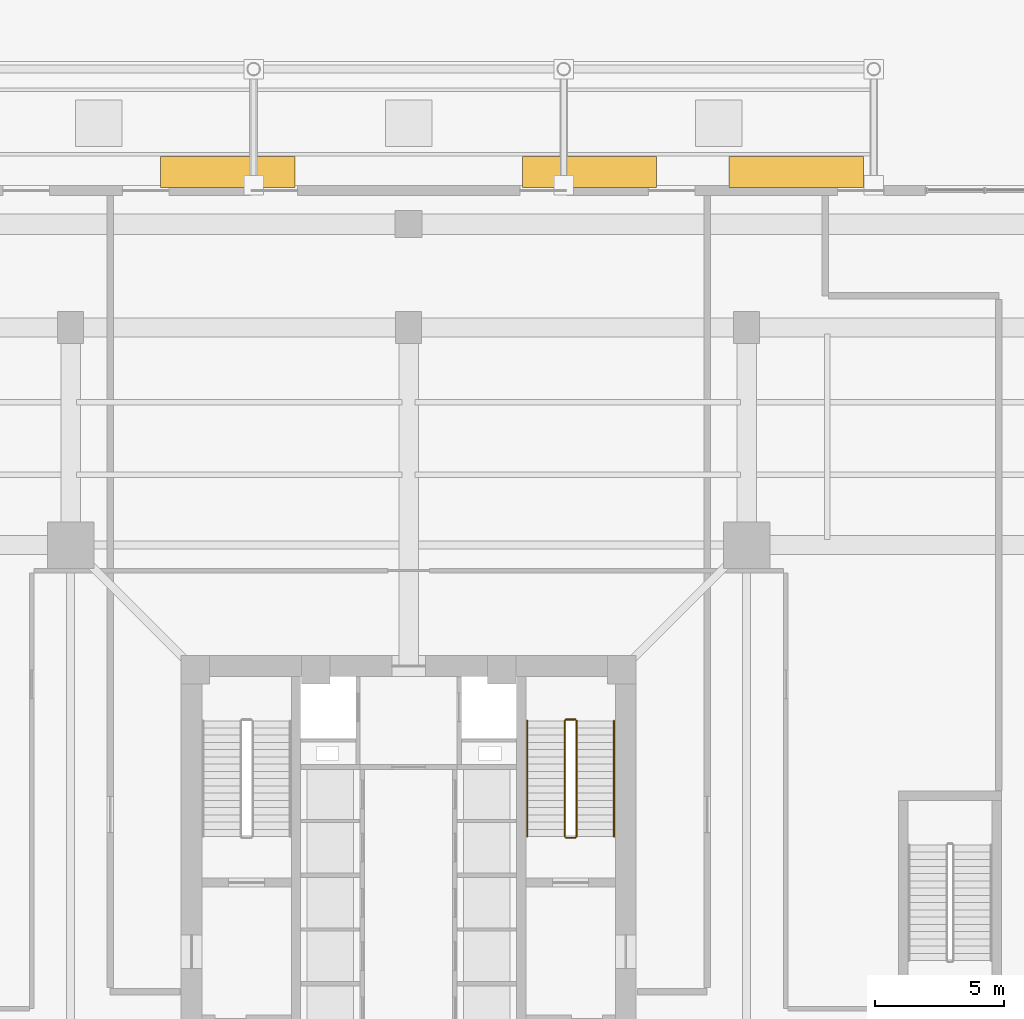
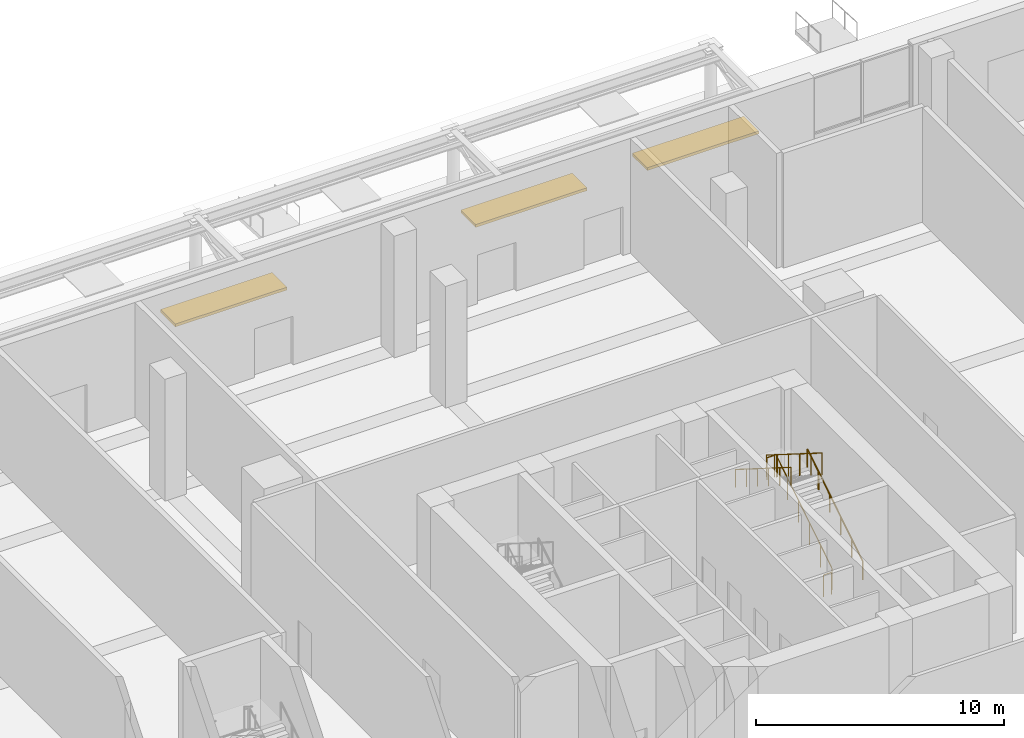
# One storey, part 21 of 25: 6 railings, 3 shading devices.
"""IFC4 building model written with IfcOpenShell, lengths in metres."""

from ifc_helpers import new_model, si_unit, direction, frame, origin, origin_2d, place, context, subcontext, project, spatial, rectangle, circle, extrude, source, transform, mapped, material, layer, layer_set, type_object, element, save


model = new_model("IFC4")

# Units and contexts
model_context = context("Model", 3, precision=1e-05, world=origin(), true_north=direction((0.0, 1.0)))
body_context = subcontext(model_context, "Body", "Model", "MODEL_VIEW")
ifc_project = project(units=[si_unit("LENGTHUNIT", "METRE"), si_unit("AREAUNIT", "SQUARE_METRE"), si_unit("VOLUMEUNIT", "CUBIC_METRE"), si_unit("PLANEANGLEUNIT", "RADIAN"), si_unit("MASSUNIT", "GRAM", prefix="KILO"), si_unit("THERMODYNAMICTEMPERATUREUNIT", "KELVIN")], contexts=[model_context])

# Site, building, storey
site_placement = place(None, origin())
site = spatial("IfcSite", under=ifc_project, at=site_placement, CompositionType="ELEMENT")
building_placement = place(site_placement, origin())
building = spatial("IfcBuilding", under=site, at=building_placement, Name="Kosmvard Interchange Tower", CompositionType="ELEMENT")
storey_placement = place(building_placement, origin())
storey = spatial("IfcBuildingStorey", under=building, at=storey_placement, Name="L00", CompositionType="ELEMENT", Elevation=0.0)

# Shading devices
ifc_material_1 = material(Name="Solar bronze aluminium", Category="aluminium")
ifc_layer = layer(ifc_material_1, 0.139892578125, Name="Solar bronze aluminium")
ifc_layer_set = layer_set([ifc_layer], Name="Solar bronze aluminium")
shading_device_type = type_object("IfcShadingDeviceType", Name="Podium Entrance Horizontal Brise-Soleil Sunshade 1200", PredefinedType="USERDEFINED", material=ifc_layer_set)
shared_shape_1 = source(origin(), body_context, "Body", "SweptSolid", [
    extrude(rectangle(XDim=5.199951171875, YDim=1.199951171875, at=origin_2d()), origin(), (0.0, 0.0, 1.0), 0.139892578125),
])
for number, where, z_axis, x_axis, name in (
    (1, (-7.0, 27.52001953125, 3.5302734375), (0.0, 0.0, 1.0), (1.0, 0.0, 0.0), "L00 Horizontal Brise-Soleil Sunshade N2"),
    (2, (7.0, 27.52001953125, 3.5302734375), (0.0, 0.0, 1.0), (1.0, 0.0, 0.0), "L00 Horizontal Brise-Soleil Sunshade N3"),
    (3, (15.0, 27.52001953125, 3.5302734375), (0.0, 0.0, 1.0), (1.0, 0.0, 0.0), "L00 Horizontal Brise-Soleil Sunshade N4"),
):
    element("IfcShadingDevice", number, at=place(storey_placement, frame(where, z_axis=z_axis, x_axis=x_axis)), inside=storey, type_object=shading_device_type, Name=name, ObjectType="SUNSHADE", PredefinedType="USERDEFINED", context=body_context, shape_type="MappedRepresentation", body=[
        mapped(shared_shape_1, transform((0.0, 0.0, 0.0), scale=1.0)),
    ])

# Railings
ifc_material_2 = material(Name="Steel S355", Category="steel")
railing_type_1 = type_object("IfcRailingType", Name="Stair & Terrace Safety Guardrail 1100 Steel", PredefinedType="GUARDRAIL", material=ifc_material_2)
shared_shape_2 = source(origin(), body_context, "Body", "SweptSolid", [
    extrude(circle(Radius=0.02392578125, at=origin_2d()), frame((0.0, 0.0, 1.076171875), z_axis=(-1.0, 0.0, 0.0), x_axis=(0.0, -1.0, 0.0)), (0.0, 0.0, 1.0), 0.35986328125),
    extrude(circle(Radius=0.02099609375, at=origin_2d()), origin(), (0.0, 0.0, 1.0), 1.052001953125),
    extrude(circle(Radius=0.02099609375, at=origin_2d()), frame((-0.35986328125, 0.0, 0.0)), (0.0, 0.0, 1.0), 1.052001953125),
])
for number, where, name in (
    (4, (6.449951171875, 6.330078125, 3.0), "L00 ST-2 stair guard 2"),
    (5, (6.449951171875, 1.75, 0.0), "L00 ST-2 stair guard 4"),
):
    element("IfcRailing", number, at=place(storey_placement, frame(where)), inside=storey, type_object=railing_type_1, Name=name, PredefinedType="GUARDRAIL", context=body_context, shape_type="MappedRepresentation", body=[
        mapped(shared_shape_2, transform((0.0, 0.0, 0.0), scale=1.0)),
    ])
shared_shape_3 = source(origin(), body_context, "Body", "SweptSolid", [
    extrude(circle(Radius=0.02392578125, at=origin_2d()), frame((0.0, 0.0, 1.076171875), z_axis=(0.0, 0.845997938375, 0.533186166611), x_axis=(-1.0, 0.0, 0.0)), (0.0, 0.0, 1.0), 5.29541015625),
    extrude(circle(Radius=0.02099609375, at=origin_2d()), origin(), (0.0, 0.0, 1.0), 1.052001953125),
    extrude(circle(Radius=0.02099609375, at=origin_2d()), frame((0.0, 0.89599609375, 0.564697265625)), (0.0, 0.0, 1.0), 1.052001953125),
    extrude(circle(Radius=0.02099609375, at=origin_2d()), frame((0.0, 1.7919921875, 1.12939453125)), (0.0, 0.0, 1.0), 1.052001953125),
    extrude(circle(Radius=0.02099609375, at=origin_2d()), frame((0.0, 2.68798828125, 1.694091796875)), (0.0, 0.0, 1.0), 1.052001953125),
    extrude(circle(Radius=0.02099609375, at=origin_2d()), frame((0.0, 3.583984375, 2.2587890625)), (0.0, 0.0, 1.0), 1.052001953125),
    extrude(circle(Radius=0.02099609375, at=origin_2d()), frame((0.0, 4.47998046875, 2.823486328125)), (0.0, 0.0, 1.0), 1.052001953125),
])
railing_1_placement = place(storey_placement, frame((6.5, 1.800048828125, 0.176513671875)))
element("IfcRailing", 6, at=railing_1_placement, inside=storey, type_object=railing_type_1, Name="L00 ST-2 stair guard 1", PredefinedType="GUARDRAIL", context=body_context, shape_type="MappedRepresentation", body=[
    mapped(shared_shape_3, transform((0.0, 0.0, 0.0), scale=1.0)),
])
shared_shape_4 = source(origin(), body_context, "Body", "SweptSolid", [
    extrude(circle(Radius=0.02392578125, at=origin_2d()), frame((0.0, 0.0, 1.076171875), z_axis=(0.0, -0.845997938375, 0.533186166611), x_axis=(1.0, 0.0, 0.0)), (0.0, 0.0, 1.0), 5.29541015625),
    extrude(circle(Radius=0.02099609375, at=origin_2d()), origin(), (0.0, 0.0, 1.0), 1.052001953125),
    extrude(circle(Radius=0.02099609375, at=origin_2d()), frame((0.0, -0.89599609375, 0.564697265625)), (0.0, 0.0, 1.0), 1.052001953125),
    extrude(circle(Radius=0.02099609375, at=origin_2d()), frame((0.0, -1.7919921875, 1.12939453125)), (0.0, 0.0, 1.0), 1.052001953125),
    extrude(circle(Radius=0.02099609375, at=origin_2d()), frame((0.0, -2.68798828125, 1.694091796875)), (0.0, 0.0, 1.0), 1.052001953125),
    extrude(circle(Radius=0.02099609375, at=origin_2d()), frame((0.0, -3.583984375, 2.2587890625)), (0.0, 0.0, 1.0), 1.052001953125),
    extrude(circle(Radius=0.02099609375, at=origin_2d()), frame((0.0, -4.47998046875, 2.823486328125)), (0.0, 0.0, 1.0), 1.052001953125),
])
railing_2_placement = place(storey_placement, frame((6.0400390625, 6.280029296875, 3.176513671875)))
element("IfcRailing", 7, at=railing_2_placement, inside=storey, type_object=railing_type_1, Name="L00 ST-2 stair guard 3", PredefinedType="GUARDRAIL", context=body_context, shape_type="MappedRepresentation", body=[
    mapped(shared_shape_4, transform((0.0, 0.0, 0.0), scale=1.0)),
])
railing_type_2 = type_object("IfcRailingType", Name="Wall-Mounted Stair Handrail 900 Steel", PredefinedType="HANDRAIL", material=ifc_material_2)
shared_shape_5 = source(origin(), body_context, "Body", "SweptSolid", [
    extrude(circle(Radius=0.02392578125, at=origin_2d()), frame((0.0, 0.0, 0.8759765625), z_axis=(0.0, 0.845997938375, 0.533186166611), x_axis=(-1.0, 0.0, 0.0)), (0.0, 0.0, 1.0), 5.29541015625),
    extrude(circle(Radius=0.02099609375, at=origin_2d()), origin(), (0.0, 0.0, 1.0), 0.851806640625),
    extrude(circle(Radius=0.02099609375, at=origin_2d()), frame((0.0, 0.89599609375, 0.564697265625)), (0.0, 0.0, 1.0), 0.851806640625),
    extrude(circle(Radius=0.02099609375, at=origin_2d()), frame((0.0, 1.7919921875, 1.12939453125)), (0.0, 0.0, 1.0), 0.851806640625),
    extrude(circle(Radius=0.02099609375, at=origin_2d()), frame((0.0, 2.68798828125, 1.694091796875)), (0.0, 0.0, 1.0), 0.851806640625),
    extrude(circle(Radius=0.02099609375, at=origin_2d()), frame((0.0, 3.583984375, 2.2587890625)), (0.0, 0.0, 1.0), 0.851806640625),
    extrude(circle(Radius=0.02099609375, at=origin_2d()), frame((0.0, 4.47998046875, 2.823486328125)), (0.0, 0.0, 1.0), 0.851806640625),
])
railing_3_placement = place(storey_placement, frame((7.949951171875, 1.800048828125, 0.176513671875)))
element("IfcRailing", 8, at=railing_3_placement, inside=storey, type_object=railing_type_2, Name="L00 ST-2 stair handrail 1", PredefinedType="HANDRAIL", context=body_context, shape_type="MappedRepresentation", body=[
    mapped(shared_shape_5, transform((0.0, 0.0, 0.0), scale=1.0)),
])
shared_shape_6 = source(origin(), body_context, "Body", "SweptSolid", [
    extrude(circle(Radius=0.02392578125, at=origin_2d()), frame((0.0, 0.0, 0.8759765625), z_axis=(0.0, -0.845997938375, 0.533186166611), x_axis=(1.0, 0.0, 0.0)), (0.0, 0.0, 1.0), 5.29541015625),
    extrude(circle(Radius=0.02099609375, at=origin_2d()), origin(), (0.0, 0.0, 1.0), 0.851806640625),
    extrude(circle(Radius=0.02099609375, at=origin_2d()), frame((0.0, -0.89599609375, 0.564697265625)), (0.0, 0.0, 1.0), 0.851806640625),
    extrude(circle(Radius=0.02099609375, at=origin_2d()), frame((0.0, -1.7919921875, 1.12939453125)), (0.0, 0.0, 1.0), 0.851806640625),
    extrude(circle(Radius=0.02099609375, at=origin_2d()), frame((0.0, -2.68798828125, 1.694091796875)), (0.0, 0.0, 1.0), 0.851806640625),
    extrude(circle(Radius=0.02099609375, at=origin_2d()), frame((0.0, -3.583984375, 2.2587890625)), (0.0, 0.0, 1.0), 0.851806640625),
    extrude(circle(Radius=0.02099609375, at=origin_2d()), frame((0.0, -4.47998046875, 2.823486328125)), (0.0, 0.0, 1.0), 0.851806640625),
])
railing_4_placement = place(storey_placement, frame((4.590087890625, 6.280029296875, 3.176513671875)))
element("IfcRailing", 9, at=railing_4_placement, inside=storey, type_object=railing_type_2, Name="L00 ST-2 stair handrail 2", PredefinedType="HANDRAIL", context=body_context, shape_type="MappedRepresentation", body=[
    mapped(shared_shape_6, transform((0.0, 0.0, 0.0), scale=1.0)),
])

save(model, "model.ifc")
